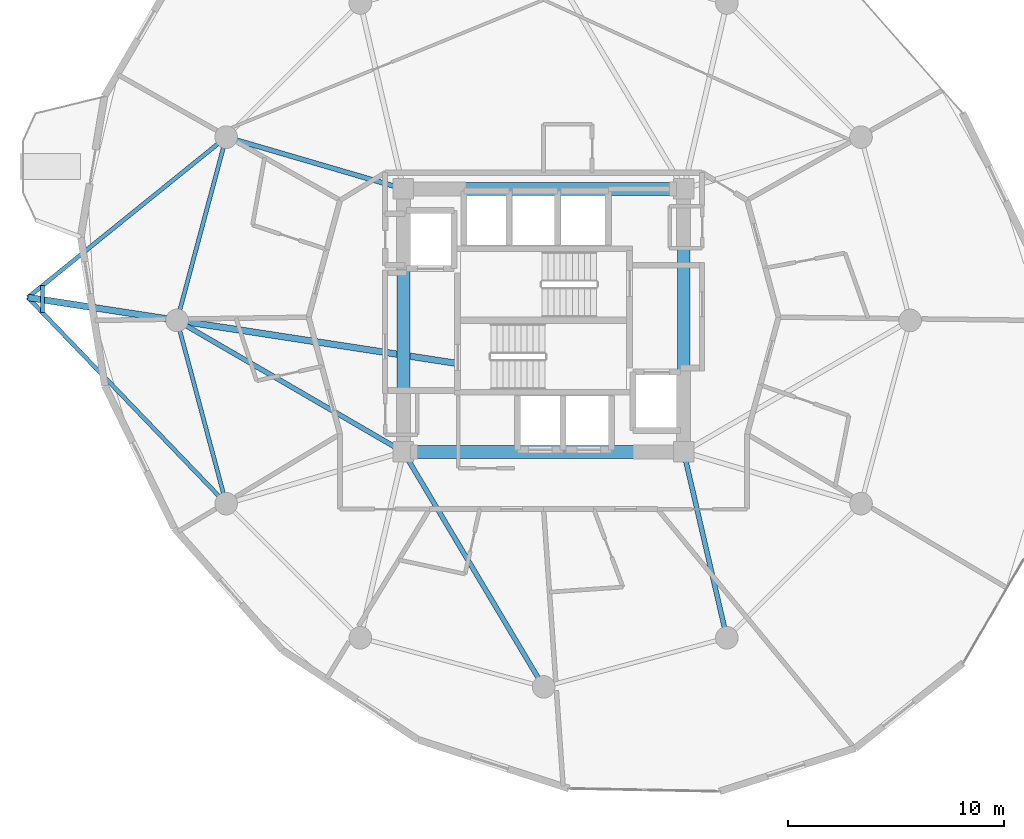
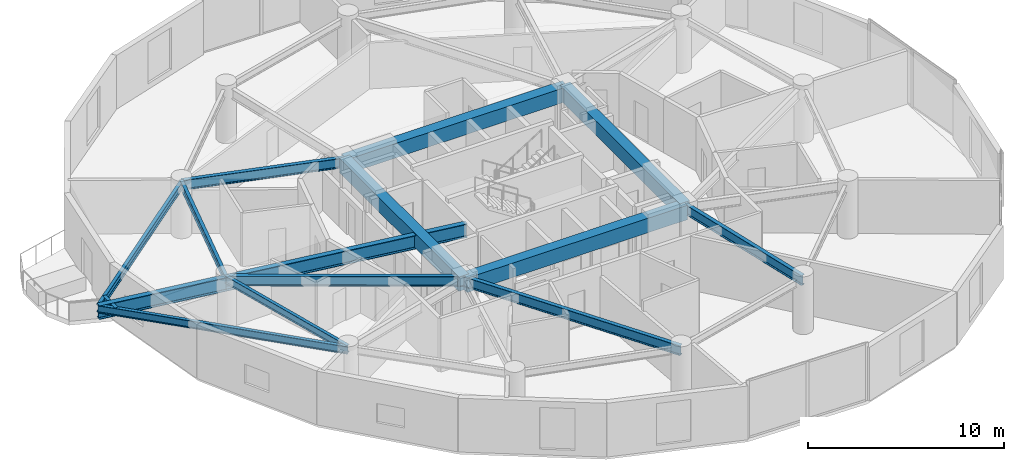
# One storey, part 3 of 20: 15 beams.
"""IFC4 building model written with IfcOpenShell, lengths in metres."""

from ifc_helpers import new_model, si_unit, direction, frame, origin, origin_2d, place, context, subcontext, project, spatial, rectangle, i_section, extrude, material, material_profile, profile_set, type_object, element, save


model = new_model("IFC4")

# Units and contexts
model_context = context("Model", 3, precision=1e-05, world=origin(), true_north=direction((0.0, 1.0)))
body_context = subcontext(model_context, "Body", "Model", "MODEL_VIEW")
ifc_project = project(units=[si_unit("LENGTHUNIT", "METRE"), si_unit("AREAUNIT", "SQUARE_METRE"), si_unit("VOLUMEUNIT", "CUBIC_METRE"), si_unit("PLANEANGLEUNIT", "RADIAN"), si_unit("MASSUNIT", "GRAM", prefix="KILO")], contexts=[model_context])

# Site, building, storey
site_placement = place(None, origin())
site = spatial("IfcSite", under=ifc_project, at=site_placement, CompositionType="ELEMENT")
building_placement = place(site_placement, origin())
building = spatial("IfcBuilding", under=site, at=building_placement, Name="Solvirekh Grand Hotel", CompositionType="ELEMENT")
storey_placement = place(building_placement, frame((0.0, 0.0, 135.0)))
storey = spatial("IfcBuildingStorey", under=building, at=storey_placement, Name="L34", CompositionType="ELEMENT", Elevation=135.0)

# Beams
ifc_material_1 = material(Name="Concrete C50/60", Category="concrete")
ifc_material_profile_1 = material_profile(ifc_material_1, rectangle(XDim=0.60009765625, YDim=0.89990234375, at=origin_2d()), Name="RC BEAM 600X900")
ifc_profile_set_1 = profile_set([ifc_material_profile_1], Name="Concrete C50/60")
beam_type_1 = type_object("IfcBeamType", Name="Beam_Core_RC900", PredefinedType="BEAM", material=ifc_profile_set_1)
beam_1_placement = place(storey_placement, frame((-6.5, -6.10009765625, 2.89990234375), z_axis=(1.0, 0.0, 0.0), x_axis=(0.0, 1.0, 0.0)))
element("IfcBeam", 1, at=beam_1_placement, inside=storey, type_object=beam_type_1, Name="L34 core coupling ring beam 1", PredefinedType="BEAM", context=body_context, shape_type="SweptSolid", body=[
    extrude(rectangle(XDim=0.60009765625, YDim=0.89990234375, at=origin_2d()), origin(), (0.0, 0.0, 1.0), 13.0),
])
beam_2_placement = place(storey_placement, frame((6.5, -6.10009765625, 2.89990234375), z_axis=(0.0, 1.0, 0.0), x_axis=(-1.0, 0.0, 0.0)))
element("IfcBeam", 2, at=beam_2_placement, inside=storey, type_object=beam_type_1, Name="L34 core coupling ring beam 2", PredefinedType="BEAM", context=body_context, shape_type="SweptSolid", body=[
    extrude(rectangle(XDim=0.60009765625, YDim=0.89990234375, at=origin_2d()), origin(), (0.0, 0.0, 1.0), 12.2001953125),
])
beam_3_placement = place(storey_placement, frame((6.5, 6.10009765625, 2.89990234375), z_axis=(-1.0, 0.0, 0.0), x_axis=(0.0, -1.0, 0.0)))
element("IfcBeam", 3, at=beam_3_placement, inside=storey, type_object=beam_type_1, Name="L34 core coupling ring beam 3", PredefinedType="BEAM", context=body_context, shape_type="SweptSolid", body=[
    extrude(rectangle(XDim=0.60009765625, YDim=0.89990234375, at=origin_2d()), origin(), (0.0, 0.0, 1.0), 13.0),
])
beam_4_placement = place(storey_placement, frame((-6.5, 6.10009765625, 2.89990234375), z_axis=(0.0, -1.0, 0.0), x_axis=(1.0, 0.0, 0.0)))
element("IfcBeam", 4, at=beam_4_placement, inside=storey, type_object=beam_type_1, Name="L34 core coupling ring beam 4", PredefinedType="BEAM", context=body_context, shape_type="SweptSolid", body=[
    extrude(rectangle(XDim=0.60009765625, YDim=0.89990234375, at=origin_2d()), origin(), (0.0, 0.0, 1.0), 12.2001953125),
])
ifc_material_2 = material(Name="Steel S460", Category="steel")
ifc_material_profile_2 = material_profile(ifc_material_2, i_section(OverallWidth=0.302001953125, OverallDepth=0.85498046875, WebThickness=0.01904296875, FlangeThickness=0.032958984375, FilletRadius=0.01806640625, at=origin_2d()), Name="W840X299")
ifc_profile_set_2 = profile_set([ifc_material_profile_2], Name="Steel S460")
beam_type_2 = type_object("IfcBeamType", Name="Beam_PoolTie_W840", PredefinedType="BEAM", material=ifc_profile_set_2)
beam_5_placement = place(storey_placement, frame((-3.989990234375, -2.0, 2.862060546875), z_axis=(-0.988389273849, 0.151942894995, 0.0), x_axis=(-0.151942894995, -0.988389273849, 0.0)))
element("IfcBeam", 5, at=beam_5_placement, inside=storey, type_object=beam_type_2, Name="L35 sky-garden back-span tie girder", PredefinedType="BEAM", context=body_context, shape_type="SweptSolid", body=[
    extrude(i_section(OverallWidth=0.302001953125, OverallDepth=0.85498046875, WebThickness=0.01904296875, FlangeThickness=0.032958984375, FilletRadius=0.01806640625, at=origin_2d()), origin(), (0.0, 0.0, 1.0), 13.162841796875),
])
beam_6_placement = place(storey_placement, frame((-17.0, 0.0, 2.862060546875), z_axis=(-0.988382178223, 0.151989044908, 0.0), x_axis=(-0.151989044908, -0.988382178223, 0.0)))
element("IfcBeam", 6, at=beam_6_placement, inside=storey, type_object=beam_type_2, Name="L35 sky-garden primary cantilever bracket", PredefinedType="BEAM", context=body_context, shape_type="SweptSolid", body=[
    extrude(i_section(OverallWidth=0.302001953125, OverallDepth=0.85498046875, WebThickness=0.01904296875, FlangeThickness=0.032958984375, FilletRadius=0.01806640625, at=origin_2d()), origin(), (0.0, 0.0, 1.0), 7.000244140625),
])
ifc_material_3 = material(Name="Steel S355", Category="steel")
ifc_material_profile_3 = material_profile(ifc_material_3, i_section(OverallWidth=0.194091796875, OverallDepth=0.468994140625, WebThickness=0.010986328125, FlangeThickness=0.01904296875, FilletRadius=0.012939453125, at=origin_2d()), Name="W460X106")
ifc_profile_set_3 = profile_set([ifc_material_profile_3], Name="Steel S355")
beam_type_3 = type_object("IfcBeamType", Name="Beam_Radial_W460H", PredefinedType="BEAM", material=ifc_profile_set_3)
beam_7_placement = place(storey_placement, frame((-14.721923828125, 8.5, 3.054931640625), z_axis=(-0.777624014414, -0.628729585916, 0.0), x_axis=(0.628729585916, -0.777624014414, 0.0)))
element("IfcBeam", 7, at=beam_7_placement, inside=storey, type_object=beam_type_3, Name="L35 sky-garden edge tie beam 1", PredefinedType="BEAM", context=body_context, shape_type="SweptSolid", body=[
    extrude(i_section(OverallWidth=0.194091796875, OverallDepth=0.468994140625, WebThickness=0.010986328125, FlangeThickness=0.01904296875, FilletRadius=0.012939453125, at=origin_2d()), origin(), (0.0, 0.0, 1.0), 11.8271484375),
])
beam_8_placement = place(storey_placement, frame((-14.721923828125, -8.5, 3.054931640625), z_axis=(-0.693144016145, 0.720799121034, 0.0), x_axis=(-0.720799121034, -0.693144016145, 0.0)))
element("IfcBeam", 8, at=beam_8_placement, inside=storey, type_object=beam_type_3, Name="L35 sky-garden edge tie beam 2", PredefinedType="BEAM", context=body_context, shape_type="SweptSolid", body=[
    extrude(i_section(OverallWidth=0.194091796875, OverallDepth=0.468994140625, WebThickness=0.010986328125, FlangeThickness=0.01904296875, FilletRadius=0.012939453125, at=origin_2d()), origin(), (0.0, 0.0, 1.0), 13.2685546875),
])
beam_9_placement = place(storey_placement, frame((-23.242919921875, 1.611083984375, 3.054931640625), z_axis=(0.0, -1.0, 0.0), x_axis=(1.0, 0.0, 0.0)))
element("IfcBeam", 9, at=beam_9_placement, inside=storey, type_object=beam_type_3, Name="L35 sky-garden outer cross trimmer", PredefinedType="BEAM", context=body_context, shape_type="SweptSolid", body=[
    extrude(i_section(OverallWidth=0.194091796875, OverallDepth=0.468994140625, WebThickness=0.010986328125, FlangeThickness=0.01904296875, FilletRadius=0.012939453125, at=origin_2d()), origin(), (0.0, 0.0, 1.0), 1.25),
])
ifc_material_profile_4 = material_profile(ifc_material_3, i_section(OverallWidth=0.22802734375, OverallDepth=0.616943359375, WebThickness=0.012939453125, FlangeThickness=0.02001953125, FilletRadius=0.014892578125, at=origin_2d()), Name="W610X140")
ifc_profile_set_4 = profile_set([ifc_material_profile_4], Name="Steel S355")
beam_type_4 = type_object("IfcBeamType", Name="Beam_Radial_W610", PredefinedType="BEAM", material=ifc_profile_set_4)
beam_10_placement = place(storey_placement, frame((-6.5, 6.10009765625, 3.041015625), z_axis=(-0.959942195467, 0.28019811092, 0.0), x_axis=(-0.28019811092, -0.959942195467, 0.0)))
element("IfcBeam", 10, at=beam_10_placement, inside=storey, type_object=beam_type_4, Name="L34 radial floor beam R06", PredefinedType="BEAM", context=body_context, shape_type="SweptSolid", body=[
    extrude(i_section(OverallWidth=0.22802734375, OverallDepth=0.616943359375, WebThickness=0.012939453125, FlangeThickness=0.02001953125, FilletRadius=0.014892578125, at=origin_2d()), origin(), (0.0, 0.0, 1.0), 8.56494140625),
])
beam_11_placement = place(storey_placement, frame((-6.5, -6.10009765625, 3.041015625), z_axis=(-0.864670076815, 0.50234018181, 0.0), x_axis=(-0.50234018181, -0.864670076815, 0.0)))
element("IfcBeam", 11, at=beam_11_placement, inside=storey, type_object=beam_type_4, Name="L34 radial floor beam R07", PredefinedType="BEAM", context=body_context, shape_type="SweptSolid", body=[
    extrude(i_section(OverallWidth=0.22802734375, OverallDepth=0.616943359375, WebThickness=0.012939453125, FlangeThickness=0.02001953125, FilletRadius=0.014892578125, at=origin_2d()), origin(), (0.0, 0.0, 1.0), 12.143310546875),
])
beam_12_placement = place(storey_placement, frame((-6.5, -6.10009765625, 3.041015625), z_axis=(0.512179721377, -0.858878299301, 0.0), x_axis=(0.858878299301, 0.512179721377, 0.0)))
element("IfcBeam", 12, at=beam_12_placement, inside=storey, type_object=beam_type_4, Name="L34 radial floor beam R10", PredefinedType="BEAM", context=body_context, shape_type="SweptSolid", body=[
    extrude(i_section(OverallWidth=0.22802734375, OverallDepth=0.616943359375, WebThickness=0.012939453125, FlangeThickness=0.02001953125, FilletRadius=0.014892578125, at=origin_2d()), origin(), (0.0, 0.0, 1.0), 12.69091796875),
])
beam_13_placement = place(storey_placement, frame((6.5, -6.10009765625, 3.041015625), z_axis=(0.225969390542, -0.974134402707, 0.0), x_axis=(0.974134402707, 0.225969390542, 0.0)))
element("IfcBeam", 13, at=beam_13_placement, inside=storey, type_object=beam_type_4, Name="L34 radial floor beam R11", PredefinedType="BEAM", context=body_context, shape_type="SweptSolid", body=[
    extrude(i_section(OverallWidth=0.22802734375, OverallDepth=0.616943359375, WebThickness=0.012939453125, FlangeThickness=0.02001953125, FilletRadius=0.014892578125, at=origin_2d()), origin(), (0.0, 0.0, 1.0), 8.850830078125),
])
ifc_material_profile_5 = material_profile(ifc_material_3, i_section(OverallWidth=0.18994140625, OverallDepth=0.45703125, WebThickness=0.009033203125, FlangeThickness=0.013916015625, FilletRadius=0.012939453125, at=origin_2d()), Name="W460X74")
ifc_profile_set_5 = profile_set([ifc_material_profile_5], Name="Steel S355")
beam_type_5 = type_object("IfcBeamType", Name="Spandrel_Ring_W460", PredefinedType="SPANDREL", material=ifc_profile_set_5)
for number, where, z_axis, x_axis, name in (
    (14, (-14.721923828125, 8.5, 3.12109375), (-0.258872908946, -0.965911391906, 0.0), (0.965911391906, -0.258872908946, 0.0), "L34 perimeter spandrel beam 6"),
    (15, (-17.0, 0.0, 3.12109375), (0.258872908946, -0.965911391906, 0.0), (0.965911391906, 0.258872908946, 0.0), "L34 perimeter spandrel beam 7"),
):
    element("IfcBeam", number, at=place(storey_placement, frame(where, z_axis=z_axis, x_axis=x_axis)), inside=storey, type_object=beam_type_5, Name=name, PredefinedType="SPANDREL", context=body_context, shape_type="SweptSolid", body=[
        extrude(i_section(OverallWidth=0.18994140625, OverallDepth=0.45703125, WebThickness=0.009033203125, FlangeThickness=0.013916015625, FilletRadius=0.012939453125, at=origin_2d()), origin(), (0.0, 0.0, 1.0), 8.800048828125),
    ])

save(model, "model.ifc")
